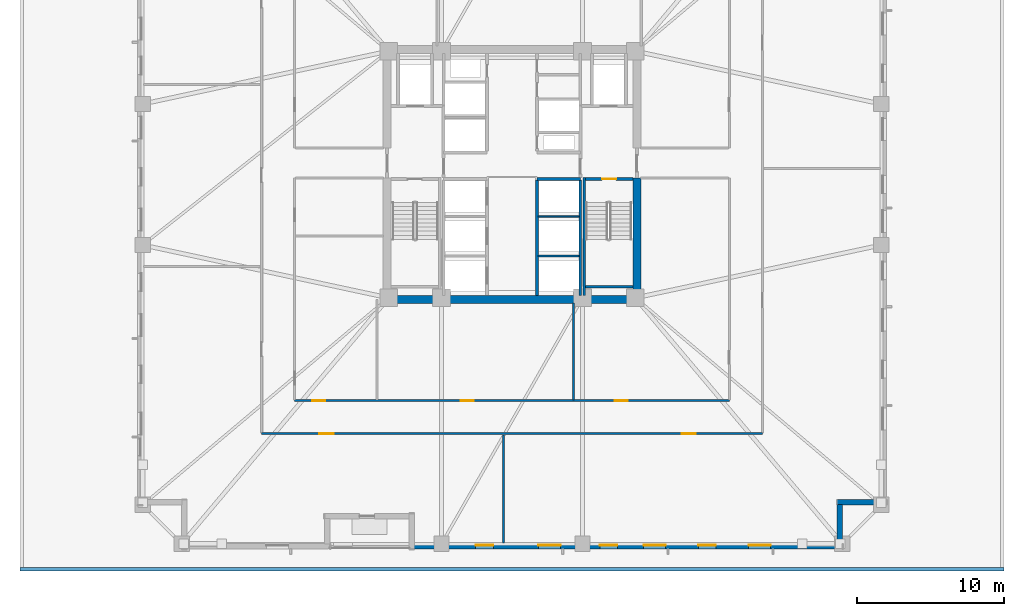
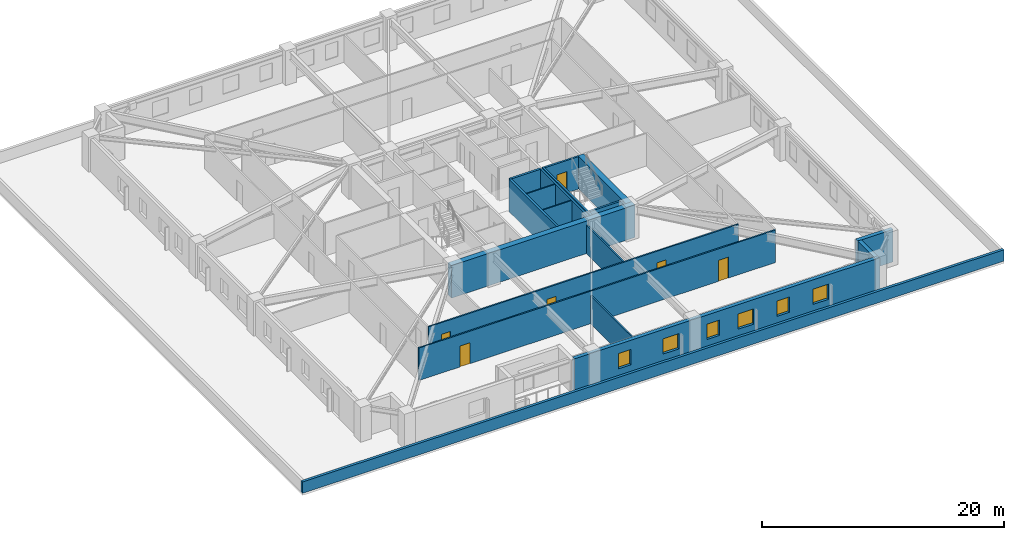
# One storey, part 4 of 12: 18 walls, 6 doors, 6 windows, 12 openings.
"""IFC4 building model written with IfcOpenShell, lengths in metres."""

import ifcopenshell
import ifcopenshell.guid

model = None  # the IFC model being written
_history = None  # IfcOwnerHistory: only IFC2X3 demands one
_inside = {}  # id of a spatial element -> (the spatial element, [elements in it])
_under = {}  # id of a project, library or spatial element -> (it, [spatial elements below it])
_declared = {}  # id of a project -> (the project, [libraries it declares])
_typed = {}  # id of a type object -> (the type object, [elements of that type])
_made_of = {}  # id of a material, layer set ... -> (it, [elements and type objects made of it])


def new_model(schema):
    """Start an empty IFC model of exactly this schema.

    Asked for "IFC4X3", IfcOpenShell would pick the latest addendum, in which some entities
    have other attributes; the version numbers below select the first issue.
    IFC2X3 requires an IfcOwnerHistory on every rooted entity: one is made here for all.
    """
    global model, _history
    if schema == "IFC4X3":
        model = ifcopenshell.file(schema_version=(4, 3, 0, 0))
    else:
        model = ifcopenshell.file(schema=schema)
    _inside.clear()
    _under.clear()
    _declared.clear()
    _typed.clear()
    _made_of.clear()
    _history = None
    if model.schema == "IFC2X3":
        org = make("IfcOrganization", Name="unknown")
        user = make(
            "IfcPersonAndOrganization",
            ThePerson=make("IfcPerson", FamilyName="unknown"),
            TheOrganization=org,
        )
        app = make(
            "IfcApplication",
            ApplicationDeveloper=org,
            Version="unknown",
            ApplicationFullName="unknown",
            ApplicationIdentifier="unknown",
        )
        _history = make(
            "IfcOwnerHistory",
            OwningUser=user,
            OwningApplication=app,
            ChangeAction="ADDED",
            CreationDate=0,
        )
    return model


def make(cls, **values):
    """One entity of the class cls with the attributes given. An attribute that is None is left unset."""
    return model.create_entity(
        cls, **{name: value for name, value in values.items() if value is not None}
    )


def rooted(cls, **values):
    """An entity with a GlobalId (a new one), such as an element, a storey or a relation."""
    return make(cls, GlobalId=ifcopenshell.guid.new(), OwnerHistory=_history, **values)


def si_unit(unit_type, name, prefix=None):
    """IfcSIUnit, for example si_unit("LENGTHUNIT", "METRE", prefix="MILLI")."""
    return make("IfcSIUnit", UnitType=unit_type, Prefix=prefix, Name=name)


def assignment(units):
    """IfcUnitAssignment: the units of a project."""
    return None if units is None else make("IfcUnitAssignment", Units=units)


def point(xyz):
    """IfcCartesianPoint."""
    return None if xyz is None else make("IfcCartesianPoint", Coordinates=xyz)


def direction(xyz):
    """IfcDirection."""
    return None if xyz is None else make("IfcDirection", DirectionRatios=xyz)


def frame(location, z_axis=None, x_axis=None):
    """IfcAxis2Placement3D, a coordinate frame: its origin and axes. An axis left out is left unset."""
    return make(
        "IfcAxis2Placement3D",
        Location=point(location),
        Axis=direction(z_axis),
        RefDirection=direction(x_axis),
    )


def frame_2d(location, x_axis=None):
    """IfcAxis2Placement2D, a coordinate frame in the plane: its origin and x axis."""
    return make(
        "IfcAxis2Placement2D", Location=point(location), RefDirection=direction(x_axis)
    )


def origin():
    """The frame at (0, 0, 0) with its axes left unset."""
    return frame((0.0, 0.0, 0.0))


def place(relative_to, where):
    """IfcLocalPlacement: puts the frame where relative to a parent placement (None: the world)."""
    return make(
        "IfcLocalPlacement", PlacementRelTo=relative_to, RelativePlacement=where
    )


def context(
    kind, dimensions, precision=None, world=None, true_north=None, identifier=None
):
    """IfcGeometricRepresentationContext, for example the 3D "Model" context."""
    return make(
        "IfcGeometricRepresentationContext",
        ContextIdentifier=identifier,
        ContextType=kind,
        CoordinateSpaceDimension=dimensions,
        Precision=precision,
        WorldCoordinateSystem=world,
        TrueNorth=true_north,
    )


def subcontext(parent, identifier, kind, view, scale=None):
    """IfcGeometricRepresentationSubContext, for example "Body" below "Model"."""
    return make(
        "IfcGeometricRepresentationSubContext",
        ContextIdentifier=identifier,
        ContextType=kind,
        ParentContext=parent,
        TargetScale=scale,
        TargetView=view,
    )


def project(units=None, contexts=None):
    """IfcProject with its units and contexts."""
    return rooted(
        "IfcProject",
        Name="project",
        RepresentationContexts=contexts,
        UnitsInContext=assignment(units),
    )


def spatial(cls, under=None, at=None, **own):
    """A site, building, storey or space (cls), placed at a placement, below another one or the project."""
    s = rooted(cls, ObjectPlacement=at, **own)
    if under is not None:
        _under.setdefault(under.id(), (under, []))[1].append(s)
    return s


def profile(cls, at=None, kind="AREA", **sizes):
    """A parametric profile (cls). Its sizes go by their IFC names, for example OverallWidth=200.0."""
    return make(cls, ProfileType=kind, Position=at, **sizes)


def rectangle(**sizes):
    """IfcRectangleProfileDef."""
    return profile("IfcRectangleProfileDef", **sizes)


def extrude(swept, where, along, depth):
    """IfcExtrudedAreaSolid: the profile swept, set in the frame where, extruded along a direction by depth."""
    return make(
        "IfcExtrudedAreaSolid",
        SweptArea=swept,
        Position=where,
        ExtrudedDirection=direction(along),
        Depth=depth,
    )


def shape(context_of_items, identifier, shape_type, items):
    """IfcShapeRepresentation: the items that make up one representation, for example the "Body"."""
    return make(
        "IfcShapeRepresentation",
        ContextOfItems=context_of_items,
        RepresentationIdentifier=identifier,
        RepresentationType=shape_type,
        Items=items,
    )


def material(Name=None, Category=None):
    """IfcMaterial."""
    return make("IfcMaterial", Name=Name, Category=Category)


def layer(
    of_material, thickness, ventilated=None, Name=None, Category=None, Priority=None
):
    """IfcMaterialLayer: one layer of a wall or slab, of a material (None: an air gap)."""
    return make(
        "IfcMaterialLayer",
        Material=of_material,
        LayerThickness=thickness,
        IsVentilated=ventilated,
        Name=Name,
        Category=Category,
        Priority=Priority,
    )


def layer_set(layers, Name=None):
    """IfcMaterialLayerSet."""
    return make("IfcMaterialLayerSet", MaterialLayers=layers, LayerSetName=Name)


def made_of(thing, what):
    """Note that an element or type object is made of a material, layer set ...; save() writes the relation."""
    if what is not None:
        _made_of.setdefault(what.id(), (what, []))[1].append(thing)
    return thing


def type_object(cls, material=None, **own):
    """A type object (cls), such as IfcWallType, which elements share."""
    return made_of(rooted(cls, **own), material)


def element(
    cls,
    number,
    at=None,
    inside=None,
    cuts=None,
    type_object=None,
    material=None,
    context=None,
    identifier="Body",
    shape_type=None,
    held_by="IfcProductDefinitionShape",
    body=None,
    shapes=None,
    **own,
):
    """One element of the class cls, such as IfcWall. Its Tag is "e" and its number.

    at: its placement. inside: the storey or other place that contains it. cuts: it is an
    opening in that element (IfcRelVoidsElement). A single representation is given by context,
    identifier, shape_type and body (its items); several are given by shapes. held_by: the class
    of the entity that holds the representations. save() writes the other relations.
    """
    e = rooted(cls, Tag="e%d" % number, ObjectPlacement=at, **own)
    if body is not None:
        shapes = [shape(context, identifier, shape_type, body)]
    if shapes is not None:
        e.Representation = make(held_by, Representations=shapes)
    if inside is not None:
        _inside.setdefault(inside.id(), (inside, []))[1].append(e)
    if cuts is not None:
        rooted(
            "IfcRelVoidsElement", RelatingBuildingElement=cuts, RelatedOpeningElement=e
        )
    if type_object is not None:
        _typed.setdefault(type_object.id(), (type_object, []))[1].append(e)
    return made_of(e, material)


def fill(opening, filler):
    """IfcRelFillsElement: the door or window that sits in an opening."""
    return rooted(
        "IfcRelFillsElement",
        RelatingOpeningElement=opening,
        RelatedBuildingElement=filler,
    )


def aggregate(whole, parts):
    """IfcRelAggregates: a whole, such as a stair, and the parts it consists of."""
    return rooted("IfcRelAggregates", RelatingObject=whole, RelatedObjects=parts)


def save(model, path):
    """Write the relations noted so far, then the file.

    IfcRelAggregates (storeys below a building ...), IfcRelContainedInSpatialStructure (elements
    in a storey), IfcRelDefinesByType, IfcRelAssociatesMaterial and IfcRelDeclares: one each for
    every whole, place, type object, material and project.
    """
    for whole, parts in _under.values():
        aggregate(whole, parts)
    for where, things in _inside.values():
        rooted(
            "IfcRelContainedInSpatialStructure",
            RelatedElements=things,
            RelatingStructure=where,
        )
    for kind, things in _typed.values():
        rooted("IfcRelDefinesByType", RelatedObjects=things, RelatingType=kind)
    for what, things in _made_of.values():
        rooted("IfcRelAssociatesMaterial", RelatedObjects=things, RelatingMaterial=what)
    for by, libraries in _declared.values():
        rooted("IfcRelDeclares", RelatingContext=by, RelatedDefinitions=libraries)
    model.write(path)


model = new_model("IFC4")

# Units and contexts
model_context = context("Model", 3, precision=1e-05, world=origin(), true_north=direction((0.0, 1.0)))
body_context = subcontext(model_context, "Body", "Model", "MODEL_VIEW")
ifc_project = project(units=[si_unit("LENGTHUNIT", "METRE"), si_unit("AREAUNIT", "SQUARE_METRE"), si_unit("VOLUMEUNIT", "CUBIC_METRE"), si_unit("PLANEANGLEUNIT", "RADIAN"), si_unit("MASSUNIT", "GRAM", prefix="KILO")], contexts=[model_context])

# Site, building, storey
site_placement = place(None, origin())
site = spatial("IfcSite", under=ifc_project, at=site_placement, CompositionType="ELEMENT")
building_placement = place(site_placement, origin())
building = spatial("IfcBuilding", under=site, at=building_placement, Name="Cairnveth Concourse Tower", CompositionType="ELEMENT")
storey_placement = place(building_placement, frame((0.0, 0.0, 23.5)))
storey = spatial("IfcBuildingStorey", under=building, at=storey_placement, Name="L05", CompositionType="ELEMENT", Elevation=23.5)

# Walls
ifc_material_1 = material(Name="Concrete N80 (80 MPa)", Category="concrete")
ifc_layer_1 = layer(ifc_material_1, 0.550048828125)
ifc_layer_set_1 = layer_set([ifc_layer_1], Name="Concrete N80 (80 MPa)")
wall_type_1 = type_object("IfcWallType", Name="CORE SHEAR WALL 550", PredefinedType="SHEAR", material=ifc_layer_set_1)
wall_1_placement = place(storey_placement, frame((43.22509765625, 30.5, 0.0), z_axis=(0.0, 0.0, 1.0), x_axis=(1.0, 0.0, 0.0)))
element("IfcWall", 1, at=wall_1_placement, inside=storey, type_object=wall_type_1, Name="Core South Shear Wall L05", PredefinedType="SHEAR", context=body_context, shape_type="SweptSolid", body=[
    extrude(rectangle(XDim=17.5498046875, YDim=0.550048828125, at=frame_2d((8.77490234375, 0.0))), origin(), (0.0, 0.0, 1.0), 3.280029296875),
])
wall_2_placement = place(storey_placement, frame((60.5, 30.764892578125, 0.0), z_axis=(0.0, 0.0, 1.0), x_axis=(0.0, 1.0, 0.0)))
element("IfcWall", 2, at=wall_2_placement, inside=storey, type_object=wall_type_1, Name="Core East Shear Wall S L05", PredefinedType="SHEAR", context=body_context, shape_type="SweptSolid", body=[
    extrude(rectangle(XDim=7.985107421875, YDim=0.550048828125, at=frame_2d((3.99267578125, 0.0))), origin(), (0.0, 0.0, 1.0), 3.280029296875),
])
ifc_material_2 = material(Name="Concrete N50 (50 MPa)", Category="concrete")
ifc_layer_2 = layer(ifc_material_2, 0.179931640625)
ifc_layer_set_2 = layer_set([ifc_layer_2], Name="Concrete N50 (50 MPa)")
wall_type_2 = type_object("IfcWallType", Name="FIRE SHAFT WALL 180", PredefinedType="SOLIDWALL", material=ifc_layer_set_2)
wall_3_placement = place(storey_placement, frame((56.64990234375, 30.760009765625, 0.0), z_axis=(0.0, 0.0, 1.0), x_axis=(0.0, 1.0, 0.0)))
element("IfcWall", 3, at=wall_3_placement, inside=storey, type_object=wall_type_2, Name="Interior Wall IW-L05-028", PredefinedType="SOLIDWALL", context=body_context, shape_type="SweptSolid", body=[
    extrude(rectangle(XDim=7.85498046875, YDim=0.179931640625, at=frame_2d((3.927490234375, 0.0))), origin(), (0.0, 0.0, 1.0), 3.280029296875),
])

# Wall, opening, door
wall_4_placement = place(storey_placement, frame((57.0048828125, 38.68994140625, 0.0), z_axis=(0.0, 0.0, 1.0), x_axis=(1.0, 0.0, 0.0)))
wall_4 = element("IfcWall", 4, at=wall_4_placement, inside=storey, type_object=wall_type_2, Name="Stair ST-2 Shaft Wall NEAR L05", PredefinedType="SOLIDWALL", context=body_context, shape_type="SweptSolid", body=[
    extrude(rectangle(XDim=3.230224609375, YDim=0.179931640625, at=frame_2d((1.615234375, 0.0))), origin(), (0.0, 0.0, 1.0), 3.280029296875),
])
opening_1_placement = place(wall_4_placement, frame((1.139892578125, 0.0, 0.0)))
opening_1 = element("IfcOpeningElement", 5, at=opening_1_placement, cuts=wall_4, Name="Opening ID12", PredefinedType="OPENING", context=body_context, shape_type="SweptSolid", body=[
    extrude(rectangle(XDim=0.949951171875, YDim=2.14990234375, at=frame_2d((0.47509765625, 1.074951171875))), frame((0.0, 0.099853515625, 0.0), z_axis=(0.0, -1.0, 0.0), x_axis=(1.0, 0.0, 0.0)), (0.0, 0.0, 1.0), 0.199951171875),
])
ifc_material_3 = material(Name="Steel Grade 350", Category="steel")
door_type_1 = type_object("IfcDoorType", Name="FIRE STAIR DOOR 950X2150", OperationType="NOTDEFINED", PredefinedType="DOOR", material=ifc_material_3)
door_1_placement = place(opening_1_placement, origin())
door_1 = element("IfcDoor", 6, at=door_1_placement, inside=storey, type_object=door_type_1, Name="Stair ST-2 Fire Door L05", OperationType="SINGLE_SWING_RIGHT", OverallHeight=2.14990234375, OverallWidth=0.949951171875, PredefinedType="DOOR", context=body_context, shape_type="SweptSolid", body=[
    extrude(rectangle(XDim=0.949951171875, YDim=2.14990234375, at=frame_2d((0.47509765625, 1.074951171875))), frame((0.0, 0.02490234375, 0.0), z_axis=(0.0, -1.0, 0.0), x_axis=(1.0, 0.0, 0.0)), (0.0, 0.0, 1.0), 0.050048828125),
])
fill(opening_1, door_1)

# Walls
wall_5_placement = place(storey_placement, frame((57.0048828125, 31.360107421875, 0.0), z_axis=(0.0, 0.0, 1.0), x_axis=(1.0, 0.0, 0.0)))
element("IfcWall", 7, at=wall_5_placement, inside=storey, type_object=wall_type_2, Name="Stair ST-2 Shaft Wall FAR L05", PredefinedType="SOLIDWALL", context=body_context, shape_type="SweptSolid", body=[
    extrude(rectangle(XDim=3.230224609375, YDim=0.179931640625, at=frame_2d((1.615234375, 0.0))), origin(), (0.0, 0.0, 1.0), 3.280029296875),
])
wall_6_placement = place(storey_placement, frame((56.929931640625, 38.780029296875, 0.0), z_axis=(0.0, 0.0, 1.0), x_axis=(0.0, -1.0, 0.0)))
element("IfcWall", 8, at=wall_6_placement, inside=storey, type_object=wall_type_2, Name="Stair ST-2 Shaft Wall LEFT L05", PredefinedType="SOLIDWALL", context=body_context, shape_type="SweptSolid", body=[
    extrude(rectangle(XDim=8.01708984375, YDim=0.179931640625, at=frame_2d((4.008544921875, 0.0))), origin(), (0.0, 0.0, 1.0), 3.280029296875),
])
ifc_layer_3 = layer(ifc_material_2, 0.199951171875)
ifc_layer_set_3 = layer_set([ifc_layer_3], Name="Concrete N50 (50 MPa)")
wall_type_3 = type_object("IfcWallType", Name="FIRE SHAFT WALL 200", PredefinedType="SOLIDWALL", material=ifc_layer_set_3)
wall_7_placement = place(storey_placement, frame((53.699951171875, 38.699951171875, 0.0), z_axis=(0.0, 0.0, 1.0), x_axis=(1.0, 0.0, 0.0)))
element("IfcWall", 9, at=wall_7_placement, inside=storey, type_object=wall_type_3, Name="Interior Wall IW-L05-009", PredefinedType="SOLIDWALL", context=body_context, shape_type="SweptSolid", body=[
    extrude(rectangle(XDim=2.949951171875, YDim=0.199951171875, at=frame_2d((1.47509765625, 0.0))), origin(), (0.0, 0.0, 1.0), 3.280029296875),
])
wall_8_placement = place(storey_placement, frame((53.699951171875, 30.760009765625, 0.0), z_axis=(0.0, 0.0, 1.0), x_axis=(0.0, 1.0, 0.0)))
element("IfcWall", 10, at=wall_8_placement, inside=storey, type_object=wall_type_3, Name="Interior Wall IW-L05-012", PredefinedType="SOLIDWALL", context=body_context, shape_type="SweptSolid", body=[
    extrude(rectangle(XDim=7.85498046875, YDim=0.199951171875, at=frame_2d((3.927490234375, 0.0))), origin(), (0.0, 0.0, 1.0), 3.280029296875),
])

# Wall, openings, doors
ifc_material_4 = material(Name="Gypsum Plasterboard Partition", Category="gypsum")
ifc_layer_4 = layer(ifc_material_4, 0.139892578125)
ifc_layer_set_4 = layer_set([ifc_layer_4], Name="Gypsum Plasterboard Partition")
wall_type_4 = type_object("IfcWallType", Name="GYPSUM STUD PARTITION 140", PredefinedType="PARTITIONING", material=ifc_layer_set_4)
wall_9_placement = place(storey_placement, frame((34.949951171875, 21.35009765625, 0.0), z_axis=(0.0, 0.0, 1.0), x_axis=(1.0, 0.0, 0.0)))
wall_9 = element("IfcWall", 11, at=wall_9_placement, inside=storey, type_object=wall_type_4, Name="Interior Wall IW-L05-038", PredefinedType="PARTITIONING", context=body_context, shape_type="SweptSolid", body=[
    extrude(rectangle(XDim=34.10009765625, YDim=0.139892578125, at=frame_2d((17.050048828125, 0.0))), origin(), (0.0, 0.0, 1.0), 3.280029296875),
])
opening_2_placement = place(wall_9_placement, frame((3.9375, 0.0, 0.0)))
opening_2 = element("IfcOpeningElement", 12, at=opening_2_placement, cuts=wall_9, Name="Opening ID11", PredefinedType="OPENING", context=body_context, shape_type="SweptSolid", body=[
    extrude(rectangle(XDim=0.9599609375, YDim=2.1201171875, at=frame_2d((0.47998046875, 1.06005859375))), frame((0.0, 0.079833984375, 0.0), z_axis=(0.0, -1.0, 0.0), x_axis=(1.0, 0.0, 0.0)), (0.0, 0.0, 1.0), 0.159912109375),
])
opening_3_placement = place(wall_9_placement, frame((28.617431640625, 0.0, 0.0)))
opening_3 = element("IfcOpeningElement", 13, at=opening_3_placement, cuts=wall_9, Name="Opening ID11", PredefinedType="OPENING", context=body_context, shape_type="SweptSolid", body=[
    extrude(rectangle(XDim=0.9599609375, YDim=2.1201171875, at=frame_2d((0.47998046875, 1.06005859375))), frame((0.0, 0.079833984375, 0.0), z_axis=(0.0, -1.0, 0.0), x_axis=(1.0, 0.0, 0.0)), (0.0, 0.0, 1.0), 0.159912109375),
])
ifc_material_5 = material(Name="Solid Core Hardwood Timber Leaf", Category="wood")
door_type_2 = type_object("IfcDoorType", Name="INTERIOR SINGLE DOOR 960X2150", OperationType="NOTDEFINED", PredefinedType="DOOR", material=ifc_material_5)
door_2_placement = place(opening_2_placement, origin())
door_2 = element("IfcDoor", 14, at=door_2_placement, inside=storey, type_object=door_type_2, Name="Office Door L05-S1", OperationType="SINGLE_SWING_LEFT", OverallHeight=2.1201171875, OverallWidth=0.9599609375, PredefinedType="DOOR", context=body_context, shape_type="SweptSolid", body=[
    extrude(rectangle(XDim=0.9599609375, YDim=2.1201171875, at=frame_2d((0.47998046875, 1.06005859375))), frame((0.0, 0.02490234375, 0.0), z_axis=(0.0, -1.0, 0.0), x_axis=(1.0, 0.0, 0.0)), (0.0, 0.0, 1.0), 0.050048828125),
])
fill(opening_2, door_2)
door_3_placement = place(opening_3_placement, origin())
door_3 = element("IfcDoor", 15, at=door_3_placement, inside=storey, type_object=door_type_2, Name="Office Door L05-S2", OperationType="SINGLE_SWING_RIGHT", OverallHeight=2.1201171875, OverallWidth=0.9599609375, PredefinedType="DOOR", context=body_context, shape_type="SweptSolid", body=[
    extrude(rectangle(XDim=0.9599609375, YDim=2.1201171875, at=frame_2d((0.47998046875, 1.06005859375))), frame((0.0, 0.02490234375, 0.0), z_axis=(0.0, -1.0, 0.0), x_axis=(1.0, 0.0, 0.0)), (0.0, 0.0, 1.0), 0.050048828125),
])
fill(opening_3, door_3)

wall_10_placement = place(storey_placement, frame((37.199951171875, 23.60009765625, 0.0), z_axis=(0.0, 0.0, 1.0), x_axis=(1.0, 0.0, 0.0)))
wall_10 = element("IfcWall", 16, at=wall_10_placement, inside=storey, type_object=wall_type_4, Name="Interior Wall IW-L05-042", PredefinedType="PARTITIONING", context=body_context, shape_type="SweptSolid", body=[
    extrude(rectangle(XDim=29.60009765625, YDim=0.139892578125, at=frame_2d((14.800048828125, 0.0))), origin(), (0.0, 0.0, 1.0), 3.280029296875),
])
opening_4_placement = place(wall_10_placement, frame((1.199951171875, 0.0, 0.0)))
opening_4 = element("IfcOpeningElement", 17, at=opening_4_placement, cuts=wall_10, Name="Opening ID18", PredefinedType="OPENING", context=body_context, shape_type="SweptSolid", body=[
    extrude(rectangle(XDim=0.8798828125, YDim=2.10009765625, at=frame_2d((0.43994140625, 1.050048828125))), frame((0.0, 0.079833984375, 0.0), z_axis=(0.0, -1.0, 0.0), x_axis=(1.0, 0.0, 0.0)), (0.0, 0.0, 1.0), 0.159912109375),
])
opening_5_placement = place(wall_10_placement, frame((11.300048828125, 0.0, 0.0)))
opening_5 = element("IfcOpeningElement", 18, at=opening_5_placement, cuts=wall_10, Name="Opening ID18", PredefinedType="OPENING", context=body_context, shape_type="SweptSolid", body=[
    extrude(rectangle(XDim=0.8798828125, YDim=2.10009765625, at=frame_2d((0.43994140625, 1.050048828125))), frame((0.0, 0.079833984375, 0.0), z_axis=(0.0, -1.0, 0.0), x_axis=(1.0, 0.0, 0.0)), (0.0, 0.0, 1.0), 0.159912109375),
])
opening_6_placement = place(wall_10_placement, frame((21.800048828125, 0.0, 0.0)))
opening_6 = element("IfcOpeningElement", 19, at=opening_6_placement, cuts=wall_10, Name="Opening ID18", PredefinedType="OPENING", context=body_context, shape_type="SweptSolid", body=[
    extrude(rectangle(XDim=0.8798828125, YDim=2.10009765625, at=frame_2d((0.43994140625, 1.050048828125))), frame((0.0, 0.079833984375, 0.0), z_axis=(0.0, -1.0, 0.0), x_axis=(1.0, 0.0, 0.0)), (0.0, 0.0, 1.0), 0.159912109375),
])
door_type_3 = type_object("IfcDoorType", Name="INTERIOR SINGLE DOOR 880X2100", OperationType="NOTDEFINED", PredefinedType="DOOR", material=ifc_material_5)
door_4_placement = place(opening_4_placement, origin())
door_4 = element("IfcDoor", 20, at=door_4_placement, inside=storey, type_object=door_type_3, Name="Interior Door DR-L05-014", OperationType="SINGLE_SWING_RIGHT", OverallHeight=2.10009765625, OverallWidth=0.8798828125, PredefinedType="DOOR", context=body_context, shape_type="SweptSolid", body=[
    extrude(rectangle(XDim=0.8798828125, YDim=2.10009765625, at=frame_2d((0.43994140625, 1.050048828125))), frame((0.0, 0.02490234375, 0.0), z_axis=(0.0, -1.0, 0.0), x_axis=(1.0, 0.0, 0.0)), (0.0, 0.0, 1.0), 0.050048828125),
])
fill(opening_4, door_4)
door_5_placement = place(opening_5_placement, origin())
door_5 = element("IfcDoor", 21, at=door_5_placement, inside=storey, type_object=door_type_3, Name="Interior Door DR-L05-015", OperationType="SINGLE_SWING_LEFT", OverallHeight=2.10009765625, OverallWidth=0.8798828125, PredefinedType="DOOR", context=body_context, shape_type="SweptSolid", body=[
    extrude(rectangle(XDim=0.8798828125, YDim=2.10009765625, at=frame_2d((0.43994140625, 1.050048828125))), frame((0.0, 0.02490234375, 0.0), z_axis=(0.0, -1.0, 0.0), x_axis=(1.0, 0.0, 0.0)), (0.0, 0.0, 1.0), 0.050048828125),
])
fill(opening_5, door_5)
door_6_placement = place(opening_6_placement, origin())
door_6 = element("IfcDoor", 22, at=door_6_placement, inside=storey, type_object=door_type_3, Name="Interior Door DR-L05-016", OperationType="SINGLE_SWING_RIGHT", OverallHeight=2.10009765625, OverallWidth=0.8798828125, PredefinedType="DOOR", context=body_context, shape_type="SweptSolid", body=[
    extrude(rectangle(XDim=0.8798828125, YDim=2.10009765625, at=frame_2d((0.43994140625, 1.050048828125))), frame((0.0, 0.02490234375, 0.0), z_axis=(0.0, -1.0, 0.0), x_axis=(1.0, 0.0, 0.0)), (0.0, 0.0, 1.0), 0.050048828125),
])
fill(opening_6, door_6)

# Walls
wall_11_placement = place(storey_placement, frame((56.199951171875, 23.655029296875, 0.0), z_axis=(0.0, 0.0, 1.0), x_axis=(0.0, 1.0, 0.0)))
element("IfcWall", 23, at=wall_11_placement, inside=storey, type_object=wall_type_4, Name="Interior Wall IW-L05-053", PredefinedType="PARTITIONING", context=body_context, shape_type="SweptSolid", body=[
    extrude(rectangle(XDim=6.5849609375, YDim=0.139892578125, at=frame_2d((3.29248046875, 0.0))), origin(), (0.0, 0.0, 1.0), 2.84912109375),
])
wall_12_placement = place(storey_placement, frame((51.4150390625, 13.919921875, 0.0), z_axis=(0.0, 0.0, 1.0), x_axis=(0.0, 1.0, 0.0)))
element("IfcWall", 24, at=wall_12_placement, inside=storey, type_object=wall_type_4, Name="Interior Wall IW-L05-057", PredefinedType="PARTITIONING", context=body_context, shape_type="SweptSolid", body=[
    extrude(rectangle(XDim=7.330078125, YDim=0.139892578125, at=frame_2d((3.6650390625, 0.0))), origin(), (0.0, 0.0, 1.0), 2.84912109375),
])
ifc_material_6 = material(Name="Hawthorn Red-Ochre Fired Clay Brick Masonry", Category="masonry")
ifc_layer_5 = layer(ifc_material_6, 0.25)
ifc_layer_set_5 = layer_set([ifc_layer_5], Name="Hawthorn Red-Ochre Fired Clay Brick Masonry")
wall_type_5 = type_object("IfcWallType", Name="ROOF MASONRY PARAPET WALL 250", PredefinedType="PARAPET", material=ifc_layer_set_5)
wall_13_placement = place(storey_placement, frame((85.5, 12.1298828125, 0.0), z_axis=(0.0, 0.0, 1.0), x_axis=(-1.0, 0.0, 0.0)))
element("IfcWall", 25, at=wall_13_placement, inside=storey, type_object=wall_type_5, Name="Exterior Wall EP-L05-POD-S", PredefinedType="PARAPET", context=body_context, shape_type="SweptSolid", body=[
    extrude(rectangle(XDim=67.0, YDim=0.25, at=frame_2d((33.5, 0.0))), origin(), (0.0, 0.0, 1.0), 1.14990234375),
])
ifc_layer_6 = layer(ifc_material_4, 0.110107421875)
ifc_layer_set_6 = layer_set([ifc_layer_6], Name="Gypsum Plasterboard Partition")
wall_type_6 = type_object("IfcWallType", Name="SHAFT DIVIDER WALL 140", PredefinedType="PARTITIONING", material=ifc_layer_set_6)
for number, where, z_axis, x_axis, name in (
    (26, (53.784912109375, 33.449951171875, 0.0), (0.0, 0.0, 1.0), (1.0, 0.0, 0.0), "Interior Wall IW-L05-029"),
    (27, (53.784912109375, 36.14990234375, 0.0), (0.0, 0.0, 1.0), (1.0, 0.0, 0.0), "Interior Wall IW-L05-030"),
):
    element("IfcWall", number, at=place(storey_placement, frame(where, z_axis=z_axis, x_axis=x_axis)), inside=storey, type_object=wall_type_6, Name=name, PredefinedType="PARTITIONING", context=body_context, shape_type="SweptSolid", body=[
        extrude(rectangle(XDim=2.7900390625, YDim=0.110107421875, at=frame_2d((1.39501953125, 0.0))), origin(), (0.0, 0.0, 1.0), 3.280029296875),
    ])
ifc_layer_7 = layer(ifc_material_6, 0.360107421875)
ifc_layer_set_7 = layer_set([ifc_layer_7], Name="Hawthorn Red-Ochre Fired Clay Brick Masonry")
wall_type_7 = type_object("IfcWallType", Name="ZONE 1 BRICK PIER SPANDREL WALL 360", PredefinedType="SOLIDWALL", material=ifc_layer_set_7)
wall_14_placement = place(storey_placement, frame((77.5, 16.679931640625, 0.0), z_axis=(0.0, 0.0, 1.0), x_axis=(-1.0, 0.0, 0.0)))
element("IfcWall", 28, at=wall_14_placement, inside=storey, type_object=wall_type_7, Name="Exterior Wall EW-L05-S10", PredefinedType="SOLIDWALL", context=body_context, shape_type="SweptSolid", body=[
    extrude(rectangle(XDim=3.360107421875, YDim=0.360107421875, at=frame_2d((1.68017578125, 0.0))), origin(), (0.0, 0.0, 1.0), 3.280029296875),
])
wall_15_placement = place(storey_placement, frame((74.320068359375, 16.52197265625, 0.0), z_axis=(0.0, 0.0, 1.0), x_axis=(0.0, -1.0, 0.0)))
element("IfcWall", 29, at=wall_15_placement, inside=storey, type_object=wall_type_7, Name="Exterior Wall EW-L05-S11", PredefinedType="SOLIDWALL", context=body_context, shape_type="SweptSolid", body=[
    extrude(rectangle(XDim=2.68408203125, YDim=0.360107421875, at=frame_2d((1.342041015625, 0.0))), origin(), (0.0, 0.0, 1.0), 3.280029296875),
])

# Wall, openings, windows
wall_16_placement = place(storey_placement, frame((74.5, 13.679931640625, 0.0), z_axis=(0.0, 0.0, 1.0), x_axis=(-1.0, 0.0, 0.0)))
wall_16 = element("IfcWall", 30, at=wall_16_placement, inside=storey, type_object=wall_type_7, Name="Exterior Wall EW-L05-S12", PredefinedType="SOLIDWALL", context=body_context, shape_type="SweptSolid", body=[
    extrude(rectangle(XDim=29.162109375, YDim=0.360107421875, at=frame_2d((14.5810546875, 0.0))), origin(), (0.0, 0.0, 1.0), 3.280029296875),
])
opening_7_placement = place(wall_16_placement, frame((4.888427734375, 0.0, 0.800048828125)))
opening_7 = element("IfcOpeningElement", 31, at=opening_7_placement, cuts=wall_16, Name="Opening W03", PredefinedType="OPENING", context=body_context, shape_type="SweptSolid", body=[
    extrude(rectangle(XDim=1.5, YDim=1.5439453125, at=frame_2d((0.75, 0.77197265625))), frame((0.0, 0.18994140625, 0.0), z_axis=(0.0, -1.0, 0.0), x_axis=(1.0, 0.0, 0.0)), (0.0, 0.0, 1.0), 0.380126953125),
])
opening_8_placement = place(wall_16_placement, frame((8.615478515625, 0.0, 0.800048828125)))
opening_8 = element("IfcOpeningElement", 32, at=opening_8_placement, cuts=wall_16, Name="Opening W01", PredefinedType="OPENING", context=body_context, shape_type="SweptSolid", body=[
    extrude(rectangle(XDim=1.199951171875, YDim=1.5439453125, at=frame_2d((0.60009765625, 0.77197265625))), frame((0.0, 0.18994140625, 0.0), z_axis=(0.0, -1.0, 0.0), x_axis=(1.0, 0.0, 0.0)), (0.0, 0.0, 1.0), 0.380126953125),
])
opening_9_placement = place(wall_16_placement, frame((12.04248046875, 0.0, 0.800048828125)))
opening_9 = element("IfcOpeningElement", 33, at=opening_9_placement, cuts=wall_16, Name="Opening W03", PredefinedType="OPENING", context=body_context, shape_type="SweptSolid", body=[
    extrude(rectangle(XDim=1.5, YDim=1.5439453125, at=frame_2d((0.75, 0.77197265625))), frame((0.0, 0.18994140625, 0.0), z_axis=(0.0, -1.0, 0.0), x_axis=(1.0, 0.0, 0.0)), (0.0, 0.0, 1.0), 0.380126953125),
])
opening_10_placement = place(wall_16_placement, frame((15.319580078125, 0.0, 0.800048828125)))
opening_10 = element("IfcOpeningElement", 34, at=opening_10_placement, cuts=wall_16, Name="Opening W01", PredefinedType="OPENING", context=body_context, shape_type="SweptSolid", body=[
    extrude(rectangle(XDim=1.199951171875, YDim=1.5439453125, at=frame_2d((0.60009765625, 0.77197265625))), frame((0.0, 0.18994140625, 0.0), z_axis=(0.0, -1.0, 0.0), x_axis=(1.0, 0.0, 0.0)), (0.0, 0.0, 1.0), 0.380126953125),
])
opening_11_placement = place(wall_16_placement, frame((19.196533203125, 0.0, 0.800048828125)))
opening_11 = element("IfcOpeningElement", 35, at=opening_11_placement, cuts=wall_16, Name="Opening W03", PredefinedType="OPENING", context=body_context, shape_type="SweptSolid", body=[
    extrude(rectangle(XDim=1.5, YDim=1.5439453125, at=frame_2d((0.75, 0.77197265625))), frame((0.0, 0.18994140625, 0.0), z_axis=(0.0, -1.0, 0.0), x_axis=(1.0, 0.0, 0.0)), (0.0, 0.0, 1.0), 0.380126953125),
])
opening_12_placement = place(wall_16_placement, frame((23.7734375, 0.0, 0.800048828125)))
opening_12 = element("IfcOpeningElement", 36, at=opening_12_placement, cuts=wall_16, Name="Opening W01", PredefinedType="OPENING", context=body_context, shape_type="SweptSolid", body=[
    extrude(rectangle(XDim=1.199951171875, YDim=1.5439453125, at=frame_2d((0.60009765625, 0.77197265625))), frame((0.0, 0.18994140625, 0.0), z_axis=(0.0, -1.0, 0.0), x_axis=(1.0, 0.0, 0.0)), (0.0, 0.0, 1.0), 0.380126953125),
])
ifc_material_7 = material(Name="Double Glazed Low-E Clear Glass", Category="glass")
window_type_1 = type_object("IfcWindowType", Name="DEEP-SET GOTHIC LANCET WINDOW 1200X1800", PartitioningType="DOUBLE_PANEL_VERTICAL", PredefinedType="WINDOW", material=ifc_material_7)
window_1_placement = place(opening_8_placement, origin())
window_1 = element("IfcWindow", 37, at=window_1_placement, inside=storey, type_object=window_type_1, Name="Gothic Lancet Window L05-12-2", OverallHeight=1.5439453125, OverallWidth=1.199951171875, PartitioningType="SINGLE_PANEL", PredefinedType="WINDOW", context=body_context, shape_type="SweptSolid", body=[
    extrude(rectangle(XDim=1.199951171875, YDim=1.5439453125, at=frame_2d((0.60009765625, 0.77197265625))), frame((0.0, -0.050048828125, 0.0), z_axis=(0.0, -1.0, 0.0), x_axis=(1.0, 0.0, 0.0)), (0.0, 0.0, 1.0), 0.06005859375),
])
fill(opening_8, window_1)
window_2_placement = place(opening_10_placement, origin())
window_2 = element("IfcWindow", 38, at=window_2_placement, inside=storey, type_object=window_type_1, Name="Gothic Lancet Window L05-12-4", OverallHeight=1.5439453125, OverallWidth=1.199951171875, PartitioningType="SINGLE_PANEL", PredefinedType="WINDOW", context=body_context, shape_type="SweptSolid", body=[
    extrude(rectangle(XDim=1.199951171875, YDim=1.5439453125, at=frame_2d((0.60009765625, 0.77197265625))), frame((0.0, -0.050048828125, 0.0), z_axis=(0.0, -1.0, 0.0), x_axis=(1.0, 0.0, 0.0)), (0.0, 0.0, 1.0), 0.06005859375),
])
fill(opening_10, window_2)
window_3_placement = place(opening_12_placement, origin())
window_3 = element("IfcWindow", 39, at=window_3_placement, inside=storey, type_object=window_type_1, Name="Gothic Lancet Window L05-12-6", OverallHeight=1.5439453125, OverallWidth=1.199951171875, PartitioningType="SINGLE_PANEL", PredefinedType="WINDOW", context=body_context, shape_type="SweptSolid", body=[
    extrude(rectangle(XDim=1.199951171875, YDim=1.5439453125, at=frame_2d((0.60009765625, 0.77197265625))), frame((0.0, -0.050048828125, 0.0), z_axis=(0.0, -1.0, 0.0), x_axis=(1.0, 0.0, 0.0)), (0.0, 0.0, 1.0), 0.06005859375),
])
fill(opening_12, window_3)
window_type_2 = type_object("IfcWindowType", Name="DEEP-SET GOTHIC LANCET WINDOW 1500X1800", PartitioningType="DOUBLE_PANEL_VERTICAL", PredefinedType="WINDOW", material=ifc_material_7)
window_4_placement = place(opening_7_placement, origin())
window_4 = element("IfcWindow", 40, at=window_4_placement, inside=storey, type_object=window_type_2, Name="Gothic Lancet Window L05-12-1", OverallHeight=1.5439453125, OverallWidth=1.5, PartitioningType="SINGLE_PANEL", PredefinedType="WINDOW", context=body_context, shape_type="SweptSolid", body=[
    extrude(rectangle(XDim=1.5, YDim=1.5439453125, at=frame_2d((0.75, 0.77197265625))), frame((0.0, -0.050048828125, 0.0), z_axis=(0.0, -1.0, 0.0), x_axis=(1.0, 0.0, 0.0)), (0.0, 0.0, 1.0), 0.06005859375),
])
fill(opening_7, window_4)
window_5_placement = place(opening_9_placement, origin())
window_5 = element("IfcWindow", 41, at=window_5_placement, inside=storey, type_object=window_type_2, Name="Gothic Lancet Window L05-12-3", OverallHeight=1.5439453125, OverallWidth=1.5, PartitioningType="SINGLE_PANEL", PredefinedType="WINDOW", context=body_context, shape_type="SweptSolid", body=[
    extrude(rectangle(XDim=1.5, YDim=1.5439453125, at=frame_2d((0.75, 0.77197265625))), frame((0.0, -0.050048828125, 0.0), z_axis=(0.0, -1.0, 0.0), x_axis=(1.0, 0.0, 0.0)), (0.0, 0.0, 1.0), 0.06005859375),
])
fill(opening_9, window_5)
window_6_placement = place(opening_11_placement, origin())
window_6 = element("IfcWindow", 42, at=window_6_placement, inside=storey, type_object=window_type_2, Name="Gothic Lancet Window L05-12-5", OverallHeight=1.5439453125, OverallWidth=1.5, PartitioningType="SINGLE_PANEL", PredefinedType="WINDOW", context=body_context, shape_type="SweptSolid", body=[
    extrude(rectangle(XDim=1.5, YDim=1.5439453125, at=frame_2d((0.75, 0.77197265625))), frame((0.0, -0.050048828125, 0.0), z_axis=(0.0, -1.0, 0.0), x_axis=(1.0, 0.0, 0.0)), (0.0, 0.0, 1.0), 0.06005859375),
])
fill(opening_11, window_6)

save(model, "model.ifc")
